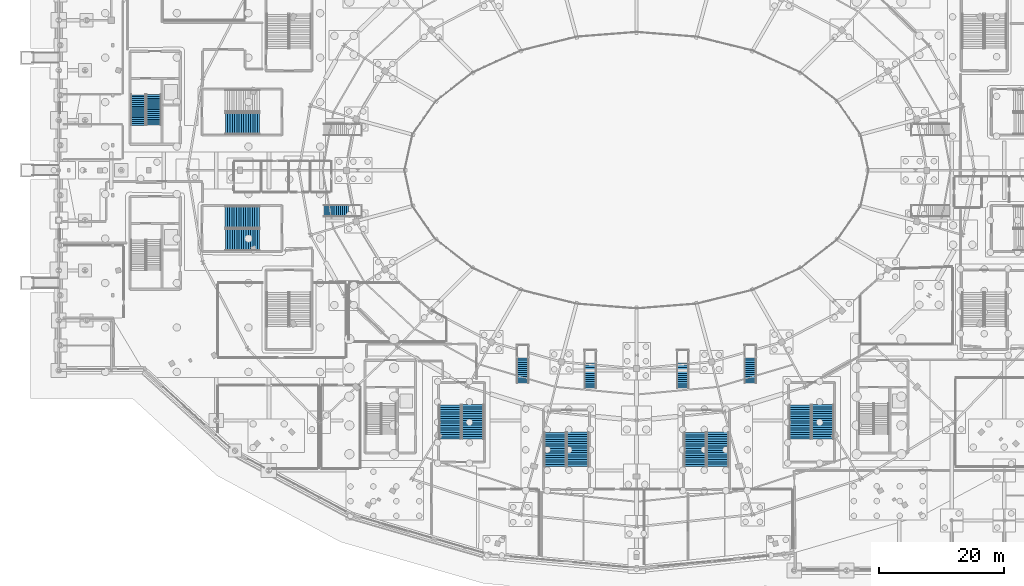
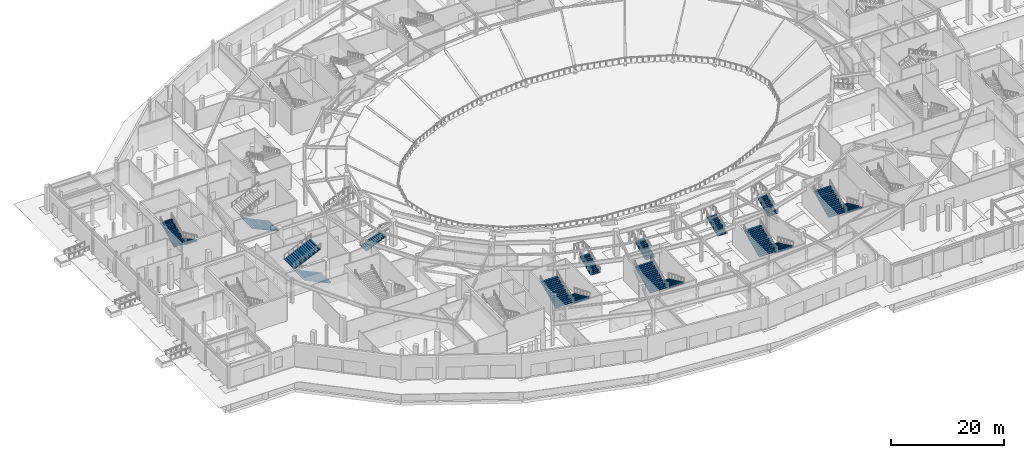
# One storey, part 65 of 93: 18 stair flights, 12 elements without a shape of their own.
"""IFC4 building model written with IfcOpenShell, lengths in metres."""

from ifc_helpers import new_model, si_unit, direction, frame, origin, place, context, subcontext, project, spatial, polyline, outline, extrude, material, type_object, element, aggregate, save


model = new_model("IFC4")

# Units and contexts
model_context = context("Model", 3, precision=1e-05, world=origin(), true_north=direction((0.0, 1.0)))
body_context = subcontext(model_context, "Body", "Model", "MODEL_VIEW")
ifc_project = project(units=[si_unit("LENGTHUNIT", "METRE"), si_unit("AREAUNIT", "SQUARE_METRE"), si_unit("VOLUMEUNIT", "CUBIC_METRE"), si_unit("PLANEANGLEUNIT", "RADIAN"), si_unit("MASSUNIT", "GRAM", prefix="KILO")], contexts=[model_context])

# Site, building, storey
site_placement = place(None, origin())
site = spatial("IfcSite", under=ifc_project, at=site_placement, CompositionType="ELEMENT")
building_placement = place(site_placement, origin())
building = spatial("IfcBuilding", under=site, at=building_placement, Name="Kalgoora Escarpment Arena", CompositionType="ELEMENT")
storey_placement = place(building_placement, origin())
storey = spatial("IfcBuildingStorey", under=building, at=storey_placement, Name="L00", CompositionType="ELEMENT", Elevation=0.0)

# Stair, stair flights
ifc_material_1 = material(Name="Concrete N40 (fc' 40 MPa)", Category="concrete")
stair_type_1 = type_object("IfcStairType", Name="STR-EXIT-1", PredefinedType="HALF_TURN_STAIR", material=ifc_material_1)
stair_1_placement = place(storey_placement, origin())
stair_1 = element("IfcStair", 1, at=stair_1_placement, inside=storey, type_object=stair_type_1, Name="Fire-isolated exit stair ST01 (L00)", PredefinedType="HALF_TURN_STAIR")
ifc_material_2 = material(Name="Concrete N40 (fc' 40 MPa)", Category="concrete")
stair_flight_type_1 = type_object("IfcStairFlightType", Name="FLT-EXIT-1", PredefinedType="STRAIGHT", material=ifc_material_2)
stair_flight_1_placement = place(storey_placement, frame((15.159912109375, 76.1298828125, 0.0), z_axis=(0.0, 0.0, 1.0), x_axis=(0.0, -1.0, 0.0)))
stair_flight_1 = element("IfcStairFlight", 2, at=stair_flight_1_placement, type_object=stair_flight_type_1, Name="ST01 L00 lower flight", NumberOfRisers=17, NumberOfTreads=16, PredefinedType="STRAIGHT", RiserHeight=0.158824, TreadLength=0.305, context=body_context, shape_type="SweptSolid", body=[
    extrude(outline(polyline([(0.0, 0.0), (0.0, 0.158935546875), (0.304931640625, 0.158935546875), (0.304931640625, 0.317626953125), (0.610107421875, 0.317626953125), (0.610107421875, 0.4765625), (0.9150390625, 0.4765625), (0.9150390625, 0.63525390625), (1.219970703125, 0.63525390625), (1.219970703125, 0.794189453125), (1.52490234375, 0.794189453125), (1.52490234375, 0.952880859375), (1.830078125, 0.952880859375), (1.830078125, 1.11181640625), (2.135009765625, 1.11181640625), (2.135009765625, 1.2705078125), (2.43994140625, 1.2705078125), (2.43994140625, 1.429443359375), (2.7451171875, 1.429443359375), (2.7451171875, 1.588134765625), (3.050048828125, 1.588134765625), (3.050048828125, 1.7470703125), (3.35498046875, 1.7470703125), (3.35498046875, 1.906005859375), (3.659912109375, 1.906005859375), (3.659912109375, 2.064697265625), (3.965087890625, 2.064697265625), (3.965087890625, 2.2236328125), (4.27001953125, 2.2236328125), (4.27001953125, 2.38232421875), (4.574951171875, 2.38232421875), (4.574951171875, 2.541259765625), (4.8798828125, 2.541259765625), (4.8798828125, 2.699951171875), (4.8798828125, 2.349609375), (0.367919921875, 0.0), (0.0, 0.0)])), frame((0.0, 1.18994140625, 0.0), z_axis=(0.0, -1.0, 0.0), x_axis=(1.0, 0.0, 0.0)), (0.0, 0.0, 1.0), 2.3798828125),
])
stair_flight_2_placement = place(storey_placement, frame((12.739990234375, 71.18994140625, 2.699951171875), z_axis=(0.0, 0.0, 1.0), x_axis=(0.0, 1.0, 0.0)))
stair_flight_2 = element("IfcStairFlight", 3, at=stair_flight_2_placement, type_object=stair_flight_type_1, Name="ST01 L00 upper flight", NumberOfRisers=17, NumberOfTreads=16, PredefinedType="STRAIGHT", RiserHeight=0.158824, TreadLength=0.305, context=body_context, shape_type="SweptSolid", body=[
    extrude(outline(polyline([(0.0, 0.0), (0.0, 0.158935546875), (0.304931640625, 0.158935546875), (0.304931640625, 0.317626953125), (0.610107421875, 0.317626953125), (0.610107421875, 0.4765625), (0.9150390625, 0.4765625), (0.9150390625, 0.63525390625), (1.219970703125, 0.63525390625), (1.219970703125, 0.794189453125), (1.52490234375, 0.794189453125), (1.52490234375, 0.952880859375), (1.830078125, 0.952880859375), (1.830078125, 1.11181640625), (2.135009765625, 1.11181640625), (2.135009765625, 1.2705078125), (2.43994140625, 1.2705078125), (2.43994140625, 1.429443359375), (2.7451171875, 1.429443359375), (2.7451171875, 1.588134765625), (3.050048828125, 1.588134765625), (3.050048828125, 1.7470703125), (3.35498046875, 1.7470703125), (3.35498046875, 1.906005859375), (3.659912109375, 1.906005859375), (3.659912109375, 2.064697265625), (3.965087890625, 2.064697265625), (3.965087890625, 2.2236328125), (4.27001953125, 2.2236328125), (4.27001953125, 2.38232421875), (4.574951171875, 2.38232421875), (4.574951171875, 2.541259765625), (4.8798828125, 2.541259765625), (4.8798828125, 2.699951171875), (4.8798828125, 2.349609375), (0.367919921875, 0.0), (0.0, 0.0)])), frame((0.0, 1.18994140625, 0.0), z_axis=(0.0, -1.0, 0.0), x_axis=(1.0, 0.0, 0.0)), (0.0, 0.0, 1.0), 2.3798828125),
])
aggregate(stair_1, [stair_flight_1, stair_flight_2])

ifc_material_3 = material(Name="Precast concrete N50 (fc' 50 MPa)", Category="concrete")
stair_type_2 = type_object("IfcStairType", Name="STR-STAD-1", PredefinedType="HALF_TURN_STAIR", material=ifc_material_3)
stair_2_placement = place(storey_placement, origin())
stair_2 = element("IfcStair", 4, at=stair_2_placement, inside=storey, type_object=stair_type_2, Name="Fire-isolated exit stair ST13 (L00)", PredefinedType="HALF_TURN_STAIR")
ifc_material_4 = material(Name="Precast concrete N50 (fc' 50 MPa)", Category="concrete")
stair_flight_type_2 = type_object("IfcStairFlightType", Name="FLT-STAD-1", PredefinedType="STRAIGHT", material=ifc_material_4)
stair_flight_3_placement = place(storey_placement, frame((66.20751953125, 26.530029296875, 0.0), z_axis=(0.0, 0.0, 1.0), x_axis=(0.0, -1.0, 0.0)))
stair_flight_3 = element("IfcStairFlight", 5, at=stair_flight_3_placement, type_object=stair_flight_type_2, Name="ST13 L00 lower flight", NumberOfRisers=16, NumberOfTreads=15, PredefinedType="STRAIGHT", RiserHeight=0.16875, TreadLength=0.365, context=body_context, shape_type="SweptSolid", body=[
    extrude(outline(polyline([(0.0, 0.0), (0.0, 0.168701171875), (0.364990234375, 0.168701171875), (0.364990234375, 0.33740234375), (0.72998046875, 0.33740234375), (0.72998046875, 0.50634765625), (1.094970703125, 0.50634765625), (1.094970703125, 0.675048828125), (1.4599609375, 0.675048828125), (1.4599609375, 0.84375), (1.824951171875, 0.84375), (1.824951171875, 1.012451171875), (2.18994140625, 1.012451171875), (2.18994140625, 1.18115234375), (2.554931640625, 1.18115234375), (2.554931640625, 1.35009765625), (2.919921875, 1.35009765625), (2.919921875, 1.518798828125), (3.284912109375, 1.518798828125), (3.284912109375, 1.6875), (3.64990234375, 1.6875), (3.64990234375, 1.856201171875), (4.014892578125, 1.856201171875), (4.014892578125, 2.02490234375), (4.3798828125, 2.02490234375), (4.3798828125, 2.19384765625), (4.7451171875, 2.19384765625), (4.7451171875, 2.362548828125), (5.110107421875, 2.362548828125), (5.110107421875, 2.53125), (5.47509765625, 2.53125), (5.47509765625, 2.699951171875), (5.47509765625, 2.343994140625), (0.405029296875, 0.0), (0.0, 0.0)])), frame((0.0, 1.74267578125, 0.0), z_axis=(0.0, -1.0, 0.0), x_axis=(1.0, 0.0, 0.0)), (0.0, 0.0, 1.0), 3.485107421875),
])
stair_flight_4_placement = place(storey_placement, frame((62.592529296875, 20.9951171875, 2.699951171875), z_axis=(0.0, 0.0, 1.0), x_axis=(0.0, 1.0, 0.0)))
stair_flight_4 = element("IfcStairFlight", 6, at=stair_flight_4_placement, type_object=stair_flight_type_2, Name="ST13 L00 upper flight", NumberOfRisers=16, NumberOfTreads=15, PredefinedType="STRAIGHT", RiserHeight=0.16875, TreadLength=0.365, context=body_context, shape_type="SweptSolid", body=[
    extrude(outline(polyline([(0.0, 0.0), (0.0, 0.168701171875), (0.364990234375, 0.168701171875), (0.364990234375, 0.33740234375), (0.72998046875, 0.33740234375), (0.72998046875, 0.50634765625), (1.094970703125, 0.50634765625), (1.094970703125, 0.675048828125), (1.4599609375, 0.675048828125), (1.4599609375, 0.84375), (1.824951171875, 0.84375), (1.824951171875, 1.012451171875), (2.18994140625, 1.012451171875), (2.18994140625, 1.18115234375), (2.554931640625, 1.18115234375), (2.554931640625, 1.35009765625), (2.919921875, 1.35009765625), (2.919921875, 1.518798828125), (3.284912109375, 1.518798828125), (3.284912109375, 1.6875), (3.64990234375, 1.6875), (3.64990234375, 1.856201171875), (4.014892578125, 1.856201171875), (4.014892578125, 2.02490234375), (4.3798828125, 2.02490234375), (4.3798828125, 2.19384765625), (4.7451171875, 2.19384765625), (4.7451171875, 2.362548828125), (5.110107421875, 2.362548828125), (5.110107421875, 2.53125), (5.47509765625, 2.53125), (5.47509765625, 2.699951171875), (5.47509765625, 2.343994140625), (0.405029296875, 0.0), (0.0, 0.0)])), frame((0.0, 1.74267578125, 0.0), z_axis=(0.0, -1.0, 0.0), x_axis=(1.0, 0.0, 0.0)), (0.0, 0.0, 1.0), 3.485107421875),
])
aggregate(stair_2, [stair_flight_3, stair_flight_4])

# Stair, stair flight
stair_3_placement = place(storey_placement, origin())
stair_3 = element("IfcStair", 7, at=stair_3_placement, inside=storey, type_object=stair_type_2, Name="Fire-isolated exit stair ST17 (L00)", PredefinedType="HALF_TURN_STAIR")
stair_flight_5_placement = place(storey_placement, frame((32.1298828125, 71.492431640625, 0.0), z_axis=(0.0, 0.0, 1.0), x_axis=(-1.0, 0.0, 0.0)))
stair_flight_5 = element("IfcStairFlight", 8, at=stair_flight_5_placement, type_object=stair_flight_type_2, Name="ST17 L00 lower flight", NumberOfRisers=16, NumberOfTreads=15, PredefinedType="STRAIGHT", RiserHeight=0.16875, TreadLength=0.365, context=body_context, shape_type="SweptSolid", body=[
    extrude(outline(polyline([(0.0, 0.0), (0.0, 0.168701171875), (0.364990234375, 0.168701171875), (0.364990234375, 0.33740234375), (0.72998046875, 0.33740234375), (0.72998046875, 0.50634765625), (1.094970703125, 0.50634765625), (1.094970703125, 0.675048828125), (1.4599609375, 0.675048828125), (1.4599609375, 0.84375), (1.824951171875, 0.84375), (1.824951171875, 1.012451171875), (2.18994140625, 1.012451171875), (2.18994140625, 1.18115234375), (2.554931640625, 1.18115234375), (2.554931640625, 1.35009765625), (2.919921875, 1.35009765625), (2.919921875, 1.518798828125), (3.284912109375, 1.518798828125), (3.284912109375, 1.6875), (3.64990234375, 1.6875), (3.64990234375, 1.856201171875), (4.014892578125, 1.856201171875), (4.014892578125, 2.02490234375), (4.3798828125, 2.02490234375), (4.3798828125, 2.19384765625), (4.7451171875, 2.19384765625), (4.7451171875, 2.362548828125), (5.110107421875, 2.362548828125), (5.110107421875, 2.53125), (5.47509765625, 2.53125), (5.47509765625, 2.699951171875), (5.47509765625, 2.343994140625), (0.405029296875, 0.0), (0.0, 0.0)])), frame((0.0, 1.74267578125, 0.0), z_axis=(0.0, -1.0, 0.0), x_axis=(1.0, 0.0, 0.0)), (0.0, 0.0, 1.0), 3.485107421875),
])
aggregate(stair_3, [stair_flight_5])

# Stair, stair flights
ifc_material_5 = material(Name="Precast concrete N50 (fc' 50 MPa)", Category="concrete")
stair_type_3 = type_object("IfcStairType", Name="STR-STAD-2", PredefinedType="HALF_TURN_STAIR", material=ifc_material_5)
stair_4_placement = place(storey_placement, origin())
stair_4 = element("IfcStair", 9, at=stair_4_placement, inside=storey, type_object=stair_type_3, Name="Fire-isolated exit stair ST14 (L00)", PredefinedType="HALF_TURN_STAIR")
ifc_material_6 = material(Name="Precast concrete N50 (fc' 50 MPa)", Category="concrete")
stair_flight_type_3 = type_object("IfcStairFlightType", Name="FLT-STAD-2", PredefinedType="STRAIGHT", material=ifc_material_6)
stair_flight_6_placement = place(storey_placement, frame((83.0048828125, 22.1298828125, 0.0), z_axis=(0.0, 0.0, 1.0), x_axis=(0.0, -1.0, 0.0)))
stair_flight_6 = element("IfcStairFlight", 10, at=stair_flight_6_placement, type_object=stair_flight_type_3, Name="ST14 L00 lower flight", NumberOfRisers=16, NumberOfTreads=15, PredefinedType="STRAIGHT", RiserHeight=0.16875, TreadLength=0.365, context=body_context, shape_type="SweptSolid", body=[
    extrude(outline(polyline([(0.0, 0.0), (0.0, 0.168701171875), (0.364990234375, 0.168701171875), (0.364990234375, 0.33740234375), (0.72998046875, 0.33740234375), (0.72998046875, 0.50634765625), (1.094970703125, 0.50634765625), (1.094970703125, 0.675048828125), (1.4599609375, 0.675048828125), (1.4599609375, 0.84375), (1.824951171875, 0.84375), (1.824951171875, 1.012451171875), (2.18994140625, 1.012451171875), (2.18994140625, 1.18115234375), (2.554931640625, 1.18115234375), (2.554931640625, 1.35009765625), (2.919921875, 1.35009765625), (2.919921875, 1.518798828125), (3.284912109375, 1.518798828125), (3.284912109375, 1.6875), (3.64990234375, 1.6875), (3.64990234375, 1.856201171875), (4.014892578125, 1.856201171875), (4.014892578125, 2.02490234375), (4.3798828125, 2.02490234375), (4.3798828125, 2.19384765625), (4.7451171875, 2.19384765625), (4.7451171875, 2.362548828125), (5.110107421875, 2.362548828125), (5.110107421875, 2.53125), (5.47509765625, 2.53125), (5.47509765625, 2.699951171875), (5.47509765625, 2.343994140625), (0.405029296875, 0.0), (0.0, 0.0)])), frame((0.0, 1.7451171875, 0.0), z_axis=(0.0, -1.0, 0.0), x_axis=(1.0, 0.0, 0.0)), (0.0, 0.0, 1.0), 3.489990234375),
])
stair_flight_7_placement = place(storey_placement, frame((79.39501953125, 16.594970703125, 2.699951171875), z_axis=(0.0, 0.0, 1.0), x_axis=(0.0, 1.0, 0.0)))
stair_flight_7 = element("IfcStairFlight", 11, at=stair_flight_7_placement, type_object=stair_flight_type_3, Name="ST14 L00 upper flight", NumberOfRisers=16, NumberOfTreads=15, PredefinedType="STRAIGHT", RiserHeight=0.16875, TreadLength=0.365, context=body_context, shape_type="SweptSolid", body=[
    extrude(outline(polyline([(0.0, 0.0), (0.0, 0.168701171875), (0.364990234375, 0.168701171875), (0.364990234375, 0.33740234375), (0.72998046875, 0.33740234375), (0.72998046875, 0.50634765625), (1.094970703125, 0.50634765625), (1.094970703125, 0.675048828125), (1.4599609375, 0.675048828125), (1.4599609375, 0.84375), (1.824951171875, 0.84375), (1.824951171875, 1.012451171875), (2.18994140625, 1.012451171875), (2.18994140625, 1.18115234375), (2.554931640625, 1.18115234375), (2.554931640625, 1.35009765625), (2.919921875, 1.35009765625), (2.919921875, 1.518798828125), (3.284912109375, 1.518798828125), (3.284912109375, 1.6875), (3.64990234375, 1.6875), (3.64990234375, 1.856201171875), (4.014892578125, 1.856201171875), (4.014892578125, 2.02490234375), (4.3798828125, 2.02490234375), (4.3798828125, 2.19384765625), (4.7451171875, 2.19384765625), (4.7451171875, 2.362548828125), (5.110107421875, 2.362548828125), (5.110107421875, 2.53125), (5.47509765625, 2.53125), (5.47509765625, 2.699951171875), (5.47509765625, 2.343994140625), (0.405029296875, 0.0), (0.0, 0.0)])), frame((0.0, 1.7451171875, 0.0), z_axis=(0.0, -1.0, 0.0), x_axis=(1.0, 0.0, 0.0)), (0.0, 0.0, 1.0), 3.489990234375),
])
aggregate(stair_4, [stair_flight_6, stair_flight_7])

stair_5_placement = place(storey_placement, origin())
stair_5 = element("IfcStair", 12, at=stair_5_placement, inside=storey, type_object=stair_type_3, Name="Fire-isolated exit stair ST18 (L00)", PredefinedType="HALF_TURN_STAIR")
stair_flight_8_placement = place(storey_placement, frame((32.1298828125, 52.89501953125, 0.0), z_axis=(0.0, 0.0, 1.0), x_axis=(-1.0, 0.0, 0.0)))
stair_flight_8 = element("IfcStairFlight", 13, at=stair_flight_8_placement, type_object=stair_flight_type_3, Name="ST18 L00 lower flight", NumberOfRisers=16, NumberOfTreads=15, PredefinedType="STRAIGHT", RiserHeight=0.16875, TreadLength=0.365, context=body_context, shape_type="SweptSolid", body=[
    extrude(outline(polyline([(0.0, 0.0), (0.0, 0.168701171875), (0.364990234375, 0.168701171875), (0.364990234375, 0.33740234375), (0.72998046875, 0.33740234375), (0.72998046875, 0.50634765625), (1.094970703125, 0.50634765625), (1.094970703125, 0.675048828125), (1.4599609375, 0.675048828125), (1.4599609375, 0.84375), (1.824951171875, 0.84375), (1.824951171875, 1.012451171875), (2.18994140625, 1.012451171875), (2.18994140625, 1.18115234375), (2.554931640625, 1.18115234375), (2.554931640625, 1.35009765625), (2.919921875, 1.35009765625), (2.919921875, 1.518798828125), (3.284912109375, 1.518798828125), (3.284912109375, 1.6875), (3.64990234375, 1.6875), (3.64990234375, 1.856201171875), (4.014892578125, 1.856201171875), (4.014892578125, 2.02490234375), (4.3798828125, 2.02490234375), (4.3798828125, 2.19384765625), (4.7451171875, 2.19384765625), (4.7451171875, 2.362548828125), (5.110107421875, 2.362548828125), (5.110107421875, 2.53125), (5.47509765625, 2.53125), (5.47509765625, 2.699951171875), (5.47509765625, 2.343994140625), (0.405029296875, 0.0), (0.0, 0.0)])), frame((0.0, 1.7451171875, 0.0), z_axis=(0.0, -1.0, 0.0), x_axis=(1.0, 0.0, 0.0)), (0.0, 0.0, 1.0), 3.489990234375),
])
stair_flight_9_placement = place(storey_placement, frame((26.594970703125, 56.5048828125, 2.699951171875), z_axis=(0.0, 0.0, 1.0), x_axis=(1.0, 0.0, 0.0)))
stair_flight_9 = element("IfcStairFlight", 14, at=stair_flight_9_placement, type_object=stair_flight_type_3, Name="ST18 L00 upper flight", NumberOfRisers=16, NumberOfTreads=15, PredefinedType="STRAIGHT", RiserHeight=0.16875, TreadLength=0.365, context=body_context, shape_type="SweptSolid", body=[
    extrude(outline(polyline([(0.0, 0.0), (0.0, 0.168701171875), (0.364990234375, 0.168701171875), (0.364990234375, 0.33740234375), (0.72998046875, 0.33740234375), (0.72998046875, 0.50634765625), (1.094970703125, 0.50634765625), (1.094970703125, 0.675048828125), (1.4599609375, 0.675048828125), (1.4599609375, 0.84375), (1.824951171875, 0.84375), (1.824951171875, 1.012451171875), (2.18994140625, 1.012451171875), (2.18994140625, 1.18115234375), (2.554931640625, 1.18115234375), (2.554931640625, 1.35009765625), (2.919921875, 1.35009765625), (2.919921875, 1.518798828125), (3.284912109375, 1.518798828125), (3.284912109375, 1.6875), (3.64990234375, 1.6875), (3.64990234375, 1.856201171875), (4.014892578125, 1.856201171875), (4.014892578125, 2.02490234375), (4.3798828125, 2.02490234375), (4.3798828125, 2.19384765625), (4.7451171875, 2.19384765625), (4.7451171875, 2.362548828125), (5.110107421875, 2.362548828125), (5.110107421875, 2.53125), (5.47509765625, 2.53125), (5.47509765625, 2.699951171875), (5.47509765625, 2.343994140625), (0.405029296875, 0.0), (0.0, 0.0)])), frame((0.0, 1.7451171875, 0.0), z_axis=(0.0, -1.0, 0.0), x_axis=(1.0, 0.0, 0.0)), (0.0, 0.0, 1.0), 3.489990234375),
])
aggregate(stair_5, [stair_flight_8, stair_flight_9])

ifc_material_7 = material(Name="Precast concrete N50 (fc' 50 MPa)", Category="concrete")
stair_type_4 = type_object("IfcStairType", Name="STR-STAD-3", PredefinedType="HALF_TURN_STAIR", material=ifc_material_7)
stair_6_placement = place(storey_placement, origin())
stair_6 = element("IfcStair", 15, at=stair_6_placement, inside=storey, type_object=stair_type_4, Name="Fire-isolated exit stair ST15 (L00)", PredefinedType="HALF_TURN_STAIR")
ifc_material_8 = material(Name="Precast concrete N50 (fc' 50 MPa)", Category="concrete")
stair_flight_type_4 = type_object("IfcStairFlightType", Name="FLT-STAD-3", PredefinedType="STRAIGHT", material=ifc_material_8)
stair_flight_10_placement = place(storey_placement, frame((105.402587890625, 22.1298828125, 0.0), z_axis=(0.0, 0.0, 1.0), x_axis=(0.0, -1.0, 0.0)))
stair_flight_10 = element("IfcStairFlight", 16, at=stair_flight_10_placement, type_object=stair_flight_type_4, Name="ST15 L00 lower flight", NumberOfRisers=16, NumberOfTreads=15, PredefinedType="STRAIGHT", RiserHeight=0.16875, TreadLength=0.365, context=body_context, shape_type="SweptSolid", body=[
    extrude(outline(polyline([(0.0, 0.0), (0.0, 0.168701171875), (0.364990234375, 0.168701171875), (0.364990234375, 0.33740234375), (0.72998046875, 0.33740234375), (0.72998046875, 0.50634765625), (1.094970703125, 0.50634765625), (1.094970703125, 0.675048828125), (1.4599609375, 0.675048828125), (1.4599609375, 0.84375), (1.824951171875, 0.84375), (1.824951171875, 1.012451171875), (2.18994140625, 1.012451171875), (2.18994140625, 1.18115234375), (2.554931640625, 1.18115234375), (2.554931640625, 1.35009765625), (2.919921875, 1.35009765625), (2.919921875, 1.518798828125), (3.284912109375, 1.518798828125), (3.284912109375, 1.6875), (3.64990234375, 1.6875), (3.64990234375, 1.856201171875), (4.014892578125, 1.856201171875), (4.014892578125, 2.02490234375), (4.3798828125, 2.02490234375), (4.3798828125, 2.19384765625), (4.7451171875, 2.19384765625), (4.7451171875, 2.362548828125), (5.110107421875, 2.362548828125), (5.110107421875, 2.53125), (5.47509765625, 2.53125), (5.47509765625, 2.699951171875), (5.47509765625, 2.343994140625), (0.405029296875, 0.0), (0.0, 0.0)])), frame((0.0, 1.74755859375, 0.0), z_axis=(0.0, -1.0, 0.0), x_axis=(1.0, 0.0, 0.0)), (0.0, 0.0, 1.0), 3.4951171875),
])
stair_flight_11_placement = place(storey_placement, frame((101.797607421875, 16.594970703125, 2.699951171875), z_axis=(0.0, 0.0, 1.0), x_axis=(0.0, 1.0, 0.0)))
stair_flight_11 = element("IfcStairFlight", 17, at=stair_flight_11_placement, type_object=stair_flight_type_4, Name="ST15 L00 upper flight", NumberOfRisers=16, NumberOfTreads=15, PredefinedType="STRAIGHT", RiserHeight=0.16875, TreadLength=0.365, context=body_context, shape_type="SweptSolid", body=[
    extrude(outline(polyline([(0.0, 0.0), (0.0, 0.168701171875), (0.364990234375, 0.168701171875), (0.364990234375, 0.33740234375), (0.72998046875, 0.33740234375), (0.72998046875, 0.50634765625), (1.094970703125, 0.50634765625), (1.094970703125, 0.675048828125), (1.4599609375, 0.675048828125), (1.4599609375, 0.84375), (1.824951171875, 0.84375), (1.824951171875, 1.012451171875), (2.18994140625, 1.012451171875), (2.18994140625, 1.18115234375), (2.554931640625, 1.18115234375), (2.554931640625, 1.35009765625), (2.919921875, 1.35009765625), (2.919921875, 1.518798828125), (3.284912109375, 1.518798828125), (3.284912109375, 1.6875), (3.64990234375, 1.6875), (3.64990234375, 1.856201171875), (4.014892578125, 1.856201171875), (4.014892578125, 2.02490234375), (4.3798828125, 2.02490234375), (4.3798828125, 2.19384765625), (4.7451171875, 2.19384765625), (4.7451171875, 2.362548828125), (5.110107421875, 2.362548828125), (5.110107421875, 2.53125), (5.47509765625, 2.53125), (5.47509765625, 2.699951171875), (5.47509765625, 2.343994140625), (0.405029296875, 0.0), (0.0, 0.0)])), frame((0.0, 1.74755859375, 0.0), z_axis=(0.0, -1.0, 0.0), x_axis=(1.0, 0.0, 0.0)), (0.0, 0.0, 1.0), 3.4951171875),
])
aggregate(stair_6, [stair_flight_10, stair_flight_11])

ifc_material_9 = material(Name="Precast concrete N50 (fc' 50 MPa)", Category="concrete")
stair_type_5 = type_object("IfcStairType", Name="STR-STAD-4", PredefinedType="HALF_TURN_STAIR", material=ifc_material_9)
stair_7_placement = place(storey_placement, origin())
stair_7 = element("IfcStair", 18, at=stair_7_placement, inside=storey, type_object=stair_type_5, Name="Fire-isolated exit stair ST16 (L00)", PredefinedType="HALF_TURN_STAIR")
ifc_material_10 = material(Name="Precast concrete N50 (fc' 50 MPa)", Category="concrete")
stair_flight_type_5 = type_object("IfcStairFlightType", Name="FLT-STAD-4", PredefinedType="STRAIGHT", material=ifc_material_10)
stair_flight_12_placement = place(storey_placement, frame((122.199951171875, 26.530029296875, 0.0), z_axis=(0.0, 0.0, 1.0), x_axis=(0.0, -1.0, 0.0)))
stair_flight_12 = element("IfcStairFlight", 19, at=stair_flight_12_placement, type_object=stair_flight_type_5, Name="ST16 L00 lower flight", NumberOfRisers=16, NumberOfTreads=15, PredefinedType="STRAIGHT", RiserHeight=0.16875, TreadLength=0.365, context=body_context, shape_type="SweptSolid", body=[
    extrude(outline(polyline([(0.0, 0.0), (0.0, 0.168701171875), (0.364990234375, 0.168701171875), (0.364990234375, 0.33740234375), (0.72998046875, 0.33740234375), (0.72998046875, 0.50634765625), (1.094970703125, 0.50634765625), (1.094970703125, 0.675048828125), (1.4599609375, 0.675048828125), (1.4599609375, 0.84375), (1.824951171875, 0.84375), (1.824951171875, 1.012451171875), (2.18994140625, 1.012451171875), (2.18994140625, 1.18115234375), (2.554931640625, 1.18115234375), (2.554931640625, 1.35009765625), (2.919921875, 1.35009765625), (2.919921875, 1.518798828125), (3.284912109375, 1.518798828125), (3.284912109375, 1.6875), (3.64990234375, 1.6875), (3.64990234375, 1.856201171875), (4.014892578125, 1.856201171875), (4.014892578125, 2.02490234375), (4.3798828125, 2.02490234375), (4.3798828125, 2.19384765625), (4.7451171875, 2.19384765625), (4.7451171875, 2.362548828125), (5.110107421875, 2.362548828125), (5.110107421875, 2.53125), (5.47509765625, 2.53125), (5.47509765625, 2.699951171875), (5.47509765625, 2.343994140625), (0.405029296875, 0.0), (0.0, 0.0)])), frame((0.0, 1.75, 0.0), z_axis=(0.0, -1.0, 0.0), x_axis=(1.0, 0.0, 0.0)), (0.0, 0.0, 1.0), 3.5),
])
stair_flight_13_placement = place(storey_placement, frame((118.60009765625, 20.9951171875, 2.699951171875), z_axis=(0.0, 0.0, 1.0), x_axis=(0.0, 1.0, 0.0)))
stair_flight_13 = element("IfcStairFlight", 20, at=stair_flight_13_placement, type_object=stair_flight_type_5, Name="ST16 L00 upper flight", NumberOfRisers=16, NumberOfTreads=15, PredefinedType="STRAIGHT", RiserHeight=0.16875, TreadLength=0.365, context=body_context, shape_type="SweptSolid", body=[
    extrude(outline(polyline([(0.0, 0.0), (0.0, 0.168701171875), (0.364990234375, 0.168701171875), (0.364990234375, 0.33740234375), (0.72998046875, 0.33740234375), (0.72998046875, 0.50634765625), (1.094970703125, 0.50634765625), (1.094970703125, 0.675048828125), (1.4599609375, 0.675048828125), (1.4599609375, 0.84375), (1.824951171875, 0.84375), (1.824951171875, 1.012451171875), (2.18994140625, 1.012451171875), (2.18994140625, 1.18115234375), (2.554931640625, 1.18115234375), (2.554931640625, 1.35009765625), (2.919921875, 1.35009765625), (2.919921875, 1.518798828125), (3.284912109375, 1.518798828125), (3.284912109375, 1.6875), (3.64990234375, 1.6875), (3.64990234375, 1.856201171875), (4.014892578125, 1.856201171875), (4.014892578125, 2.02490234375), (4.3798828125, 2.02490234375), (4.3798828125, 2.19384765625), (4.7451171875, 2.19384765625), (4.7451171875, 2.362548828125), (5.110107421875, 2.362548828125), (5.110107421875, 2.53125), (5.47509765625, 2.53125), (5.47509765625, 2.699951171875), (5.47509765625, 2.343994140625), (0.405029296875, 0.0), (0.0, 0.0)])), frame((0.0, 1.75, 0.0), z_axis=(0.0, -1.0, 0.0), x_axis=(1.0, 0.0, 0.0)), (0.0, 0.0, 1.0), 3.5),
])
aggregate(stair_7, [stair_flight_12, stair_flight_13])

# Stair, stair flight
ifc_material_11 = material(Name="Precast concrete N50 (fc' 50 MPa)", Category="concrete")
stair_type_6 = type_object("IfcStairType", Name="STR-VOM-1920", PredefinedType="STRAIGHT_RUN_STAIR", material=ifc_material_11)
stair_8_placement = place(storey_placement, origin())
stair_8 = element("IfcStair", 21, at=stair_8_placement, inside=storey, type_object=stair_type_6, Name="Bowl vomitory stair VST05", PredefinedType="STRAIGHT_RUN_STAIR")
ifc_material_12 = material(Name="Precast concrete N50 (fc' 50 MPa)", Category="concrete")
stair_flight_type_6 = type_object("IfcStairFlightType", Name="FLT-VOM-1920", PredefinedType="STRAIGHT", material=ifc_material_12)
stair_flight_14_placement = place(storey_placement, frame((74.199951171875, 30.0, 0.0), z_axis=(0.0, 0.0, 1.0), x_axis=(0.0, 1.0, 0.0)))
stair_flight_14 = element("IfcStairFlight", 22, at=stair_flight_14_placement, type_object=stair_flight_type_6, Name="Vomitory stair flight VST05", NumberOfRisers=13, NumberOfTreads=12, PredefinedType="STRAIGHT", RiserHeight=0.15, TreadLength=0.33, context=body_context, shape_type="SweptSolid", body=[
    extrude(outline(polyline([(0.0, 0.0), (0.0, 0.14990234375), (0.330078125, 0.14990234375), (0.330078125, 0.300048828125), (0.659912109375, 0.300048828125), (0.659912109375, 0.449951171875), (0.989990234375, 0.449951171875), (0.989990234375, 0.60009765625), (1.320068359375, 0.60009765625), (1.320068359375, 0.75), (1.64990234375, 0.75), (1.64990234375, 0.89990234375), (1.97998046875, 0.89990234375), (1.97998046875, 1.050048828125), (2.31005859375, 1.050048828125), (2.31005859375, 1.199951171875), (2.639892578125, 1.199951171875), (2.639892578125, 1.35009765625), (2.969970703125, 1.35009765625), (2.969970703125, 1.5), (3.300048828125, 1.5), (3.300048828125, 1.64990234375), (3.6298828125, 1.64990234375), (3.6298828125, 1.800048828125), (3.9599609375, 1.800048828125), (3.9599609375, 1.949951171875), (3.9599609375, 1.602294921875), (0.434814453125, 0.0), (0.0, 0.0)])), frame((0.0, 0.9599609375, 0.0), z_axis=(0.0, -1.0, 0.0), x_axis=(1.0, 0.0, 0.0)), (0.0, 0.0, 1.0), 1.919921875),
])
aggregate(stair_8, [stair_flight_14])

stair_9_placement = place(storey_placement, origin())
stair_9 = element("IfcStair", 23, at=stair_9_placement, inside=storey, type_object=stair_type_6, Name="Bowl vomitory stair VST06", PredefinedType="STRAIGHT_RUN_STAIR")
stair_flight_15_placement = place(storey_placement, frame((85.0, 29.199951171875, 0.0), z_axis=(0.0, 0.0, 1.0), x_axis=(0.0, 1.0, 0.0)))
stair_flight_15 = element("IfcStairFlight", 24, at=stair_flight_15_placement, type_object=stair_flight_type_6, Name="Vomitory stair flight VST06", NumberOfRisers=13, NumberOfTreads=12, PredefinedType="STRAIGHT", RiserHeight=0.15, TreadLength=0.33, context=body_context, shape_type="SweptSolid", body=[
    extrude(outline(polyline([(0.0, 0.0), (0.0, 0.14990234375), (0.330078125, 0.14990234375), (0.330078125, 0.300048828125), (0.659912109375, 0.300048828125), (0.659912109375, 0.449951171875), (0.989990234375, 0.449951171875), (0.989990234375, 0.60009765625), (1.320068359375, 0.60009765625), (1.320068359375, 0.75), (1.64990234375, 0.75), (1.64990234375, 0.89990234375), (1.97998046875, 0.89990234375), (1.97998046875, 1.050048828125), (2.31005859375, 1.050048828125), (2.31005859375, 1.199951171875), (2.639892578125, 1.199951171875), (2.639892578125, 1.35009765625), (2.969970703125, 1.35009765625), (2.969970703125, 1.5), (3.300048828125, 1.5), (3.300048828125, 1.64990234375), (3.6298828125, 1.64990234375), (3.6298828125, 1.800048828125), (3.9599609375, 1.800048828125), (3.9599609375, 1.949951171875), (3.9599609375, 1.602294921875), (0.434814453125, 0.0), (0.0, 0.0)])), frame((0.0, 0.9599609375, 0.0), z_axis=(0.0, -1.0, 0.0), x_axis=(1.0, 0.0, 0.0)), (0.0, 0.0, 1.0), 1.919921875),
])
aggregate(stair_9, [stair_flight_15])

stair_10_placement = place(storey_placement, origin())
stair_10 = element("IfcStair", 25, at=stair_10_placement, inside=storey, type_object=stair_type_6, Name="Bowl vomitory stair VST07", PredefinedType="STRAIGHT_RUN_STAIR")
stair_flight_16_placement = place(storey_placement, frame((99.800048828125, 29.199951171875, 0.0), z_axis=(0.0, 0.0, 1.0), x_axis=(0.0, 1.0, 0.0)))
stair_flight_16 = element("IfcStairFlight", 26, at=stair_flight_16_placement, type_object=stair_flight_type_6, Name="Vomitory stair flight VST07", NumberOfRisers=13, NumberOfTreads=12, PredefinedType="STRAIGHT", RiserHeight=0.15, TreadLength=0.33, context=body_context, shape_type="SweptSolid", body=[
    extrude(outline(polyline([(0.0, 0.0), (0.0, 0.14990234375), (0.330078125, 0.14990234375), (0.330078125, 0.300048828125), (0.659912109375, 0.300048828125), (0.659912109375, 0.449951171875), (0.989990234375, 0.449951171875), (0.989990234375, 0.60009765625), (1.320068359375, 0.60009765625), (1.320068359375, 0.75), (1.64990234375, 0.75), (1.64990234375, 0.89990234375), (1.97998046875, 0.89990234375), (1.97998046875, 1.050048828125), (2.31005859375, 1.050048828125), (2.31005859375, 1.199951171875), (2.639892578125, 1.199951171875), (2.639892578125, 1.35009765625), (2.969970703125, 1.35009765625), (2.969970703125, 1.5), (3.300048828125, 1.5), (3.300048828125, 1.64990234375), (3.6298828125, 1.64990234375), (3.6298828125, 1.800048828125), (3.9599609375, 1.800048828125), (3.9599609375, 1.949951171875), (3.9599609375, 1.602294921875), (0.434814453125, 0.0), (0.0, 0.0)])), frame((0.0, 0.9599609375, 0.0), z_axis=(0.0, -1.0, 0.0), x_axis=(1.0, 0.0, 0.0)), (0.0, 0.0, 1.0), 1.919921875),
])
aggregate(stair_10, [stair_flight_16])

stair_11_placement = place(storey_placement, origin())
stair_11 = element("IfcStair", 27, at=stair_11_placement, inside=storey, type_object=stair_type_6, Name="Bowl vomitory stair VST08", PredefinedType="STRAIGHT_RUN_STAIR")
stair_flight_17_placement = place(storey_placement, frame((110.60009765625, 30.0, 0.0), z_axis=(0.0, 0.0, 1.0), x_axis=(0.0, 1.0, 0.0)))
stair_flight_17 = element("IfcStairFlight", 28, at=stair_flight_17_placement, type_object=stair_flight_type_6, Name="Vomitory stair flight VST08", NumberOfRisers=13, NumberOfTreads=12, PredefinedType="STRAIGHT", RiserHeight=0.15, TreadLength=0.33, context=body_context, shape_type="SweptSolid", body=[
    extrude(outline(polyline([(0.0, 0.0), (0.0, 0.14990234375), (0.330078125, 0.14990234375), (0.330078125, 0.300048828125), (0.659912109375, 0.300048828125), (0.659912109375, 0.449951171875), (0.989990234375, 0.449951171875), (0.989990234375, 0.60009765625), (1.320068359375, 0.60009765625), (1.320068359375, 0.75), (1.64990234375, 0.75), (1.64990234375, 0.89990234375), (1.97998046875, 0.89990234375), (1.97998046875, 1.050048828125), (2.31005859375, 1.050048828125), (2.31005859375, 1.199951171875), (2.639892578125, 1.199951171875), (2.639892578125, 1.35009765625), (2.969970703125, 1.35009765625), (2.969970703125, 1.5), (3.300048828125, 1.5), (3.300048828125, 1.64990234375), (3.6298828125, 1.64990234375), (3.6298828125, 1.800048828125), (3.9599609375, 1.800048828125), (3.9599609375, 1.949951171875), (3.9599609375, 1.602294921875), (0.434814453125, 0.0), (0.0, 0.0)])), frame((0.0, 0.9599609375, 0.0), z_axis=(0.0, -1.0, 0.0), x_axis=(1.0, 0.0, 0.0)), (0.0, 0.0, 1.0), 1.919921875),
])
aggregate(stair_11, [stair_flight_17])

stair_12_placement = place(storey_placement, origin())
stair_12 = element("IfcStair", 29, at=stair_12_placement, inside=storey, type_object=stair_type_6, Name="Bowl vomitory stair VST09", PredefinedType="STRAIGHT_RUN_STAIR")
stair_flight_18_placement = place(storey_placement, frame((42.39990234375, 57.5, 0.0), z_axis=(0.0, 0.0, 1.0), x_axis=(1.0, 0.0, 0.0)))
stair_flight_18 = element("IfcStairFlight", 30, at=stair_flight_18_placement, type_object=stair_flight_type_6, Name="Vomitory stair flight VST09", NumberOfRisers=13, NumberOfTreads=12, PredefinedType="STRAIGHT", RiserHeight=0.15, TreadLength=0.33, context=body_context, shape_type="SweptSolid", body=[
    extrude(outline(polyline([(0.0, 0.0), (0.0, 0.14990234375), (0.330078125, 0.14990234375), (0.330078125, 0.300048828125), (0.659912109375, 0.300048828125), (0.659912109375, 0.449951171875), (0.989990234375, 0.449951171875), (0.989990234375, 0.60009765625), (1.320068359375, 0.60009765625), (1.320068359375, 0.75), (1.64990234375, 0.75), (1.64990234375, 0.89990234375), (1.97998046875, 0.89990234375), (1.97998046875, 1.050048828125), (2.31005859375, 1.050048828125), (2.31005859375, 1.199951171875), (2.639892578125, 1.199951171875), (2.639892578125, 1.35009765625), (2.969970703125, 1.35009765625), (2.969970703125, 1.5), (3.300048828125, 1.5), (3.300048828125, 1.64990234375), (3.6298828125, 1.64990234375), (3.6298828125, 1.800048828125), (3.9599609375, 1.800048828125), (3.9599609375, 1.949951171875), (3.9599609375, 1.602294921875), (0.434814453125, 0.0), (0.0, 0.0)])), frame((0.0, 0.9599609375, 0.0), z_axis=(0.0, -1.0, 0.0), x_axis=(1.0, 0.0, 0.0)), (0.0, 0.0, 1.0), 1.919921875),
])
aggregate(stair_12, [stair_flight_18])

save(model, "model.ifc")
